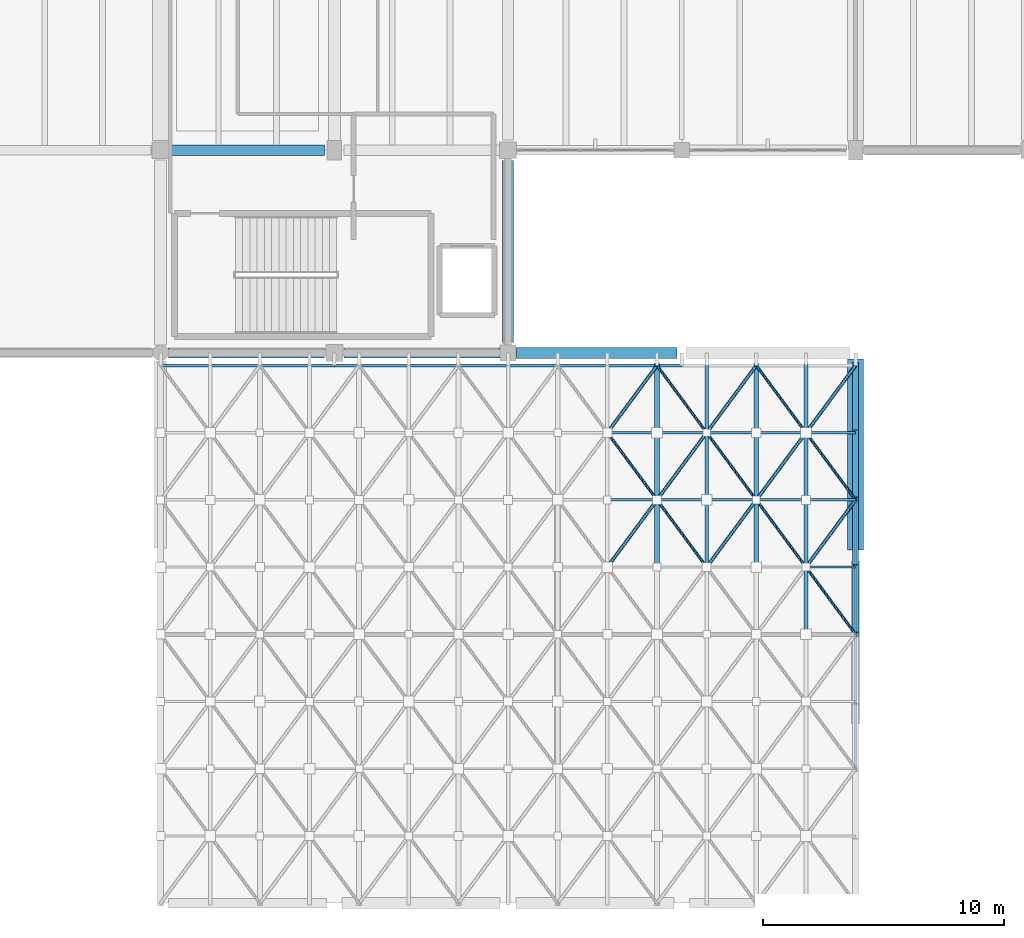
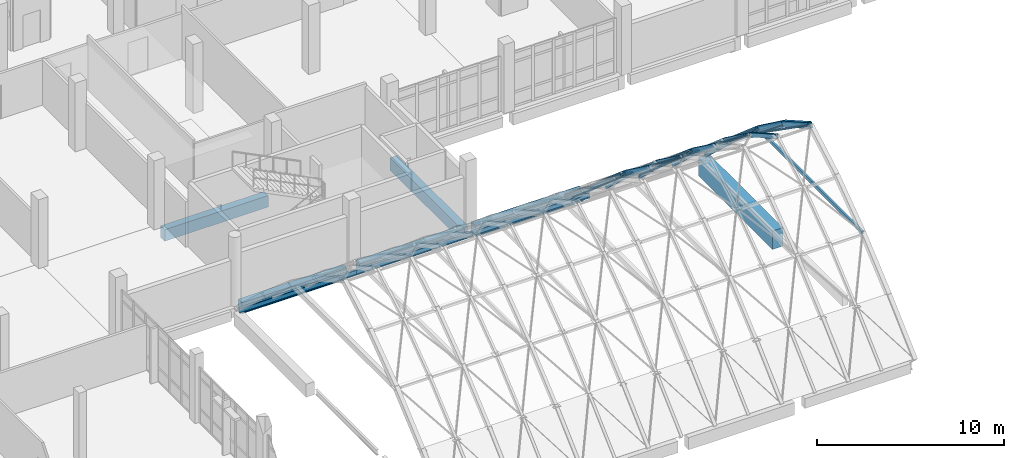
# One storey, part 39 of 87: 45 members, 9 beams.
"""IFC4 building model written with IfcOpenShell, lengths in metres."""

import ifcopenshell
import ifcopenshell.guid

model = None  # the IFC model being written
_history = None  # IfcOwnerHistory: only IFC2X3 demands one
_inside = {}  # id of a spatial element -> (the spatial element, [elements in it])
_under = {}  # id of a project, library or spatial element -> (it, [spatial elements below it])
_declared = {}  # id of a project -> (the project, [libraries it declares])
_typed = {}  # id of a type object -> (the type object, [elements of that type])
_made_of = {}  # id of a material, layer set ... -> (it, [elements and type objects made of it])


def new_model(schema):
    """Start an empty IFC model of exactly this schema.

    Asked for "IFC4X3", IfcOpenShell would pick the latest addendum, in which some entities
    have other attributes; the version numbers below select the first issue.
    IFC2X3 requires an IfcOwnerHistory on every rooted entity: one is made here for all.
    """
    global model, _history
    if schema == "IFC4X3":
        model = ifcopenshell.file(schema_version=(4, 3, 0, 0))
    else:
        model = ifcopenshell.file(schema=schema)
    _inside.clear()
    _under.clear()
    _declared.clear()
    _typed.clear()
    _made_of.clear()
    _history = None
    if model.schema == "IFC2X3":
        org = make("IfcOrganization", Name="unknown")
        user = make(
            "IfcPersonAndOrganization",
            ThePerson=make("IfcPerson", FamilyName="unknown"),
            TheOrganization=org,
        )
        app = make(
            "IfcApplication",
            ApplicationDeveloper=org,
            Version="unknown",
            ApplicationFullName="unknown",
            ApplicationIdentifier="unknown",
        )
        _history = make(
            "IfcOwnerHistory",
            OwningUser=user,
            OwningApplication=app,
            ChangeAction="ADDED",
            CreationDate=0,
        )
    return model


def make(cls, **values):
    """One entity of the class cls with the attributes given. An attribute that is None is left unset."""
    return model.create_entity(
        cls, **{name: value for name, value in values.items() if value is not None}
    )


def rooted(cls, **values):
    """An entity with a GlobalId (a new one), such as an element, a storey or a relation."""
    return make(cls, GlobalId=ifcopenshell.guid.new(), OwnerHistory=_history, **values)


def si_unit(unit_type, name, prefix=None):
    """IfcSIUnit, for example si_unit("LENGTHUNIT", "METRE", prefix="MILLI")."""
    return make("IfcSIUnit", UnitType=unit_type, Prefix=prefix, Name=name)


def assignment(units):
    """IfcUnitAssignment: the units of a project."""
    return None if units is None else make("IfcUnitAssignment", Units=units)


def point(xyz):
    """IfcCartesianPoint."""
    return None if xyz is None else make("IfcCartesianPoint", Coordinates=xyz)


def direction(xyz):
    """IfcDirection."""
    return None if xyz is None else make("IfcDirection", DirectionRatios=xyz)


def frame(location, z_axis=None, x_axis=None):
    """IfcAxis2Placement3D, a coordinate frame: its origin and axes. An axis left out is left unset."""
    return make(
        "IfcAxis2Placement3D",
        Location=point(location),
        Axis=direction(z_axis),
        RefDirection=direction(x_axis),
    )


def frame_2d(location, x_axis=None):
    """IfcAxis2Placement2D, a coordinate frame in the plane: its origin and x axis."""
    return make(
        "IfcAxis2Placement2D", Location=point(location), RefDirection=direction(x_axis)
    )


def origin():
    """The frame at (0, 0, 0) with its axes left unset."""
    return frame((0.0, 0.0, 0.0))


def origin_2d():
    """The frame at (0, 0) in the plane with its x axis left unset."""
    return frame_2d((0.0, 0.0))


def place(relative_to, where):
    """IfcLocalPlacement: puts the frame where relative to a parent placement (None: the world)."""
    return make(
        "IfcLocalPlacement", PlacementRelTo=relative_to, RelativePlacement=where
    )


def context(
    kind, dimensions, precision=None, world=None, true_north=None, identifier=None
):
    """IfcGeometricRepresentationContext, for example the 3D "Model" context."""
    return make(
        "IfcGeometricRepresentationContext",
        ContextIdentifier=identifier,
        ContextType=kind,
        CoordinateSpaceDimension=dimensions,
        Precision=precision,
        WorldCoordinateSystem=world,
        TrueNorth=true_north,
    )


def subcontext(parent, identifier, kind, view, scale=None):
    """IfcGeometricRepresentationSubContext, for example "Body" below "Model"."""
    return make(
        "IfcGeometricRepresentationSubContext",
        ContextIdentifier=identifier,
        ContextType=kind,
        ParentContext=parent,
        TargetScale=scale,
        TargetView=view,
    )


def project(units=None, contexts=None):
    """IfcProject with its units and contexts."""
    return rooted(
        "IfcProject",
        Name="project",
        RepresentationContexts=contexts,
        UnitsInContext=assignment(units),
    )


def spatial(cls, under=None, at=None, **own):
    """A site, building, storey or space (cls), placed at a placement, below another one or the project."""
    s = rooted(cls, ObjectPlacement=at, **own)
    if under is not None:
        _under.setdefault(under.id(), (under, []))[1].append(s)
    return s


def profile(cls, at=None, kind="AREA", **sizes):
    """A parametric profile (cls). Its sizes go by their IFC names, for example OverallWidth=200.0."""
    return make(cls, ProfileType=kind, Position=at, **sizes)


def rectangle(**sizes):
    """IfcRectangleProfileDef."""
    return profile("IfcRectangleProfileDef", **sizes)


def hollow_rectangle(**sizes):
    """IfcRectangleHollowProfileDef."""
    return profile("IfcRectangleHollowProfileDef", **sizes)


def hollow_circle(**sizes):
    """IfcCircleHollowProfileDef."""
    return profile("IfcCircleHollowProfileDef", **sizes)


def i_section(**sizes):
    """IfcIShapeProfileDef."""
    return profile("IfcIShapeProfileDef", **sizes)


def extrude(swept, where, along, depth):
    """IfcExtrudedAreaSolid: the profile swept, set in the frame where, extruded along a direction by depth."""
    return make(
        "IfcExtrudedAreaSolid",
        SweptArea=swept,
        Position=where,
        ExtrudedDirection=direction(along),
        Depth=depth,
    )


def shape(context_of_items, identifier, shape_type, items):
    """IfcShapeRepresentation: the items that make up one representation, for example the "Body"."""
    return make(
        "IfcShapeRepresentation",
        ContextOfItems=context_of_items,
        RepresentationIdentifier=identifier,
        RepresentationType=shape_type,
        Items=items,
    )


def material(Name=None, Category=None):
    """IfcMaterial."""
    return make("IfcMaterial", Name=Name, Category=Category)


def material_profile(
    of_material, cross_section, Name=None, Category=None, Priority=None
):
    """IfcMaterialProfile: a cross section and its material."""
    return make(
        "IfcMaterialProfile",
        Name=Name,
        Material=of_material,
        Profile=cross_section,
        Priority=Priority,
        Category=Category,
    )


def profile_set(profiles, Name=None, composite=None):
    """IfcMaterialProfileSet."""
    return make(
        "IfcMaterialProfileSet",
        Name=Name,
        MaterialProfiles=profiles,
        CompositeProfile=composite,
    )


def made_of(thing, what):
    """Note that an element or type object is made of a material, layer set ...; save() writes the relation."""
    if what is not None:
        _made_of.setdefault(what.id(), (what, []))[1].append(thing)
    return thing


def type_object(cls, material=None, **own):
    """A type object (cls), such as IfcWallType, which elements share."""
    return made_of(rooted(cls, **own), material)


def element(
    cls,
    number,
    at=None,
    inside=None,
    cuts=None,
    type_object=None,
    material=None,
    context=None,
    identifier="Body",
    shape_type=None,
    held_by="IfcProductDefinitionShape",
    body=None,
    shapes=None,
    **own,
):
    """One element of the class cls, such as IfcWall. Its Tag is "e" and its number.

    at: its placement. inside: the storey or other place that contains it. cuts: it is an
    opening in that element (IfcRelVoidsElement). A single representation is given by context,
    identifier, shape_type and body (its items); several are given by shapes. held_by: the class
    of the entity that holds the representations. save() writes the other relations.
    """
    e = rooted(cls, Tag="e%d" % number, ObjectPlacement=at, **own)
    if body is not None:
        shapes = [shape(context, identifier, shape_type, body)]
    if shapes is not None:
        e.Representation = make(held_by, Representations=shapes)
    if inside is not None:
        _inside.setdefault(inside.id(), (inside, []))[1].append(e)
    if cuts is not None:
        rooted(
            "IfcRelVoidsElement", RelatingBuildingElement=cuts, RelatedOpeningElement=e
        )
    if type_object is not None:
        _typed.setdefault(type_object.id(), (type_object, []))[1].append(e)
    return made_of(e, material)


def aggregate(whole, parts):
    """IfcRelAggregates: a whole, such as a stair, and the parts it consists of."""
    return rooted("IfcRelAggregates", RelatingObject=whole, RelatedObjects=parts)


def save(model, path):
    """Write the relations noted so far, then the file.

    IfcRelAggregates (storeys below a building ...), IfcRelContainedInSpatialStructure (elements
    in a storey), IfcRelDefinesByType, IfcRelAssociatesMaterial and IfcRelDeclares: one each for
    every whole, place, type object, material and project.
    """
    for whole, parts in _under.values():
        aggregate(whole, parts)
    for where, things in _inside.values():
        rooted(
            "IfcRelContainedInSpatialStructure",
            RelatedElements=things,
            RelatingStructure=where,
        )
    for kind, things in _typed.values():
        rooted("IfcRelDefinesByType", RelatedObjects=things, RelatingType=kind)
    for what, things in _made_of.values():
        rooted("IfcRelAssociatesMaterial", RelatedObjects=things, RelatingMaterial=what)
    for by, libraries in _declared.values():
        rooted("IfcRelDeclares", RelatingContext=by, RelatedDefinitions=libraries)
    model.write(path)


model = new_model("IFC4")

# Units and contexts
model_context = context("Model", 3, precision=1e-05, world=origin(), true_north=direction((0.0, 1.0)))
body_context = subcontext(model_context, "Body", "Model", "MODEL_VIEW")
ifc_project = project(units=[si_unit("LENGTHUNIT", "METRE"), si_unit("AREAUNIT", "SQUARE_METRE"), si_unit("VOLUMEUNIT", "CUBIC_METRE"), si_unit("PLANEANGLEUNIT", "RADIAN"), si_unit("MASSUNIT", "GRAM", prefix="KILO")], contexts=[model_context])

# Site, building, storey
site_placement = place(None, origin())
site = spatial("IfcSite", under=ifc_project, at=site_placement, CompositionType="ELEMENT")
building_placement = place(site_placement, origin())
building = spatial("IfcBuilding", under=site, at=building_placement, Name="Kalluvel Institute of Natural Sciences", CompositionType="ELEMENT")
storey_placement = place(building_placement, frame((0.0, 0.0, 18.89990234375)))
storey = spatial("IfcBuildingStorey", under=building, at=storey_placement, Name="L04", CompositionType="ELEMENT", Elevation=18.89990234375)

# Beams
ifc_material_1 = material(Name="Steel E350 Grade 350", Category="steel")
ifc_material_profile_1 = material_profile(ifc_material_1, i_section(OverallWidth=0.139892578125, OverallDepth=0.35009765625, WebThickness=0.008056640625, FlangeThickness=0.01416015625, FilletRadius=0.013916015625, at=origin_2d()), Name="ISMB 350")
ifc_profile_set_1 = profile_set([ifc_material_profile_1], Name="Steel E350 Grade 350")
beam_type_1 = type_object("IfcBeamType", Name="BM-ISMB350", PredefinedType="BEAM", material=ifc_profile_set_1)
for number, where, z_axis, x_axis, name in (
    (1, (42.800048828125, 93.8798828125, -0.1748046875), (1.0, 0.0, 0.0), (0.0, 1.0, 0.0), "Atrium gridshell north springing ring beam 1"),
    (2, (50.0, 93.8798828125, -0.1748046875), (1.0, 0.0, 0.0), (0.0, 1.0, 0.0), "Atrium gridshell north springing ring beam 2"),
    (3, (57.199951171875, 93.8798828125, -0.1748046875), (1.0, 0.0, 0.0), (0.0, 1.0, 0.0), "Atrium gridshell north springing ring beam 3"),
):
    element("IfcBeam", number, at=place(storey_placement, frame(where, z_axis=z_axis, x_axis=x_axis)), inside=storey, type_object=beam_type_1, Name=name, PredefinedType="BEAM", context=body_context, shape_type="SweptSolid", body=[
        extrude(i_section(OverallWidth=0.139892578125, OverallDepth=0.35009765625, WebThickness=0.008056640625, FlangeThickness=0.01416015625, FilletRadius=0.013916015625, at=origin_2d()), origin(), (0.0, 0.0, 1.0), 7.199951171875),
    ])
ifc_material_2 = material(Name="Concrete M40", Category="concrete")
ifc_material_profile_2 = material_profile(ifc_material_2, rectangle(XDim=0.39990234375, YDim=0.64990234375, at=origin_2d()), Name="RCB 400x650")
ifc_profile_set_2 = profile_set([ifc_material_profile_2], Name="Concrete M40")
beam_type_2 = type_object("IfcBeamType", Name="BM-RC400x650", PredefinedType="BEAM", material=ifc_profile_set_2)
beam_1_placement = place(storey_placement, frame((50.39990234375, 94.39990234375, -0.304931640625), z_axis=(1.0, 0.0, 0.0), x_axis=(0.0, 1.0, 0.0)))
element("IfcBeam", 4, at=beam_1_placement, inside=storey, type_object=beam_type_2, Name="L04 girder GIR-L04-EW-X500-Y944", PredefinedType="BEAM", context=body_context, shape_type="SweptSolid", body=[
    extrude(rectangle(XDim=0.39990234375, YDim=0.64990234375, at=origin_2d()), origin(), (0.0, 0.0, 1.0), 6.47509765625),
])
ifc_material_profile_3 = material_profile(ifc_material_2, rectangle(XDim=0.419921875, YDim=0.719970703125, at=origin_2d()), Name="RCB 420x720")
ifc_profile_set_3 = profile_set([ifc_material_profile_3], Name="Concrete M40")
beam_type_3 = type_object("IfcBeamType", Name="BM-RC420x720", PredefinedType="BEAM", material=ifc_profile_set_3)
beam_2_placement = place(storey_placement, frame((43.125, 94.39990234375, -0.33984375), z_axis=(1.0, 0.0, 0.0), x_axis=(0.0, 1.0, 0.0)))
element("IfcBeam", 5, at=beam_2_placement, inside=storey, type_object=beam_type_3, Name="L04 girder GIR-L04-EW-X428-Y944", PredefinedType="BEAM", context=body_context, shape_type="SweptSolid", body=[
    extrude(rectangle(XDim=0.419921875, YDim=0.719970703125, at=origin_2d()), origin(), (0.0, 0.0, 1.0), 6.47509765625),
])
ifc_material_profile_4 = material_profile(ifc_material_2, rectangle(XDim=0.449951171875, YDim=0.75, at=origin_2d()), Name="RCB 450x750")
ifc_profile_set_4 = profile_set([ifc_material_profile_4], Name="Concrete M40")
beam_type_4 = type_object("IfcBeamType", Name="BM-RC450x750", PredefinedType="BEAM", material=ifc_profile_set_4)
beam_3_placement = place(storey_placement, frame((57.52490234375, 94.39990234375, -0.35498046875), z_axis=(1.0, 0.0, 0.0), x_axis=(0.0, 1.0, 0.0)))
element("IfcBeam", 6, at=beam_3_placement, inside=storey, type_object=beam_type_4, Name="L04 girder GIR-L04-EW-X572-Y944", PredefinedType="BEAM", context=body_context, shape_type="SweptSolid", body=[
    extrude(rectangle(XDim=0.449951171875, YDim=0.75, at=origin_2d()), origin(), (0.0, 0.0, 1.0), 6.675048828125),
])
beam_4_placement = place(storey_placement, frame((43.199951171875, 102.800048828125, -0.69482421875), z_axis=(1.0, 0.0, 0.0), x_axis=(0.0, 1.0, 0.0)))
element("IfcBeam", 7, at=beam_4_placement, inside=storey, type_object=beam_type_4, Name="L04 girder GIR-L04-EW-X428-Y1028", PredefinedType="BEAM", context=body_context, shape_type="SweptSolid", body=[
    extrude(rectangle(XDim=0.449951171875, YDim=0.75, at=origin_2d()), origin(), (0.0, 0.0, 1.0), 6.400146484375),
])
ifc_material_profile_5 = material_profile(ifc_material_2, rectangle(XDim=0.449951171875, YDim=0.800048828125, at=origin_2d()), Name="RCB 450x800")
ifc_profile_set_5 = profile_set([ifc_material_profile_5], Name="Concrete M40")
beam_type_5 = type_object("IfcBeamType", Name="BM-RC450x800", PredefinedType="BEAM", material=ifc_profile_set_5)
beam_5_placement = place(storey_placement, frame((57.199951171875, 94.824951171875, -0.719970703125), z_axis=(0.0, 1.0, 0.0), x_axis=(-1.0, 0.0, 0.0)))
element("IfcBeam", 8, at=beam_5_placement, inside=storey, type_object=beam_type_5, Name="L04 girder GIR-L04-NS-X572-Y944", PredefinedType="BEAM", context=body_context, shape_type="SweptSolid", body=[
    extrude(rectangle(XDim=0.449951171875, YDim=0.800048828125, at=origin_2d()), origin(), (0.0, 0.0, 1.0), 7.550048828125),
])
ifc_material_3 = material(Name="Concrete M50", Category="concrete")
ifc_material_profile_6 = material_profile(ifc_material_3, rectangle(XDim=0.64990234375, YDim=1.199951171875, at=origin_2d()), Name="RCB 650x1200")
ifc_profile_set_6 = profile_set([ifc_material_profile_6], Name="Concrete M50")
beam_type_6 = type_object("IfcBeamType", Name="BM-RC650x1200", PredefinedType="BEAM", material=ifc_profile_set_6)
beam_6_placement = place(storey_placement, frame((71.60009765625, 86.22509765625, -0.919921875), z_axis=(0.0, 1.0, 0.0), x_axis=(-1.0, 0.0, 0.0)))
element("IfcBeam", 9, at=beam_6_placement, inside=storey, type_object=beam_type_6, Name="L04 girder GIR-L04-NS-X716-Y860", PredefinedType="BEAM", context=body_context, shape_type="SweptSolid", body=[
    extrude(rectangle(XDim=0.64990234375, YDim=1.199951171875, at=origin_2d()), origin(), (0.0, 0.0, 1.0), 7.9248046875),
])

# Members
ifc_material_profile_7 = material_profile(ifc_material_1, hollow_rectangle(XDim=0.1201171875, YDim=0.219970703125, WallThickness=0.010009765625, at=origin_2d()), Name="RHS 220x120x10")
ifc_profile_set_7 = profile_set([ifc_material_profile_7], Name="Steel E350 Grade 350")
member_type_1 = type_object("IfcMemberType", Name="MB-ARCH-RHS220", PredefinedType="CHORD", material=ifc_profile_set_7)
member_1_placement = place(storey_placement, frame((71.60009765625, 77.169921875, 4.976806640625), z_axis=(0.0, 1.0, 0.0), x_axis=(-1.0, 0.0, 0.0)))
element("IfcMember", 10, at=member_1_placement, inside=storey, type_object=member_type_1, Name="Atrium gridshell Gothic collar tie chord 8", PredefinedType="CHORD", context=body_context, shape_type="SweptSolid", body=[
    extrude(hollow_rectangle(XDim=0.1201171875, YDim=0.219970703125, WallThickness=0.010009765625, at=origin_2d()), origin(), (0.0, 0.0, 1.0), 11.14013671875),
])
ifc_material_profile_8 = material_profile(ifc_material_1, hollow_rectangle(XDim=0.14990234375, YDim=0.25, WallThickness=0.010009765625, at=origin_2d()), Name="RHS 250x150x10")
ifc_profile_set_8 = profile_set([ifc_material_profile_8], Name="Steel E350 Grade 350")
member_type_2 = type_object("IfcMemberType", Name="MB-ARCH-SEG250", PredefinedType="USERDEFINED", material=ifc_profile_set_8)
member_2_placement = place(storey_placement, frame((65.4287109375, 85.52490234375, 7.018310546875), z_axis=(0.0, 0.806535340499, -0.591185879843), x_axis=(-1.0, 0.0, 0.0)))
element("IfcMember", 11, at=member_2_placement, inside=storey, type_object=member_type_2, Name="Atrium gridshell pointed arch segment 94", ObjectType="ARCH_SEGMENT", PredefinedType="USERDEFINED", context=body_context, shape_type="SweptSolid", body=[
    extrude(hollow_rectangle(XDim=0.14990234375, YDim=0.25, WallThickness=0.010009765625, at=origin_2d()), origin(), (0.0, 0.0, 1.0), 3.453125),
])
member_3_placement = place(storey_placement, frame((65.4287109375, 88.31005859375, 4.976806640625), z_axis=(0.0, 0.758448754264, -0.651732680748), x_axis=(-1.0, 0.0, 0.0)))
element("IfcMember", 12, at=member_3_placement, inside=storey, type_object=member_type_2, Name="Atrium gridshell pointed arch segment 95", ObjectType="ARCH_SEGMENT", PredefinedType="USERDEFINED", context=body_context, shape_type="SweptSolid", body=[
    extrude(hollow_rectangle(XDim=0.14990234375, YDim=0.25, WallThickness=0.010009765625, at=origin_2d()), origin(), (0.0, 0.0, 1.0), 3.671875),
])
member_4_placement = place(storey_placement, frame((65.4287109375, 91.094970703125, 2.583740234375), z_axis=(0.0, 0.733088696682, -0.680133047864), x_axis=(-1.0, 0.0, 0.0)))
element("IfcMember", 13, at=member_4_placement, inside=storey, type_object=member_type_2, Name="Atrium gridshell pointed arch segment 96", ObjectType="ARCH_SEGMENT", PredefinedType="USERDEFINED", context=body_context, shape_type="SweptSolid", body=[
    extrude(hollow_rectangle(XDim=0.14990234375, YDim=0.25, WallThickness=0.010009765625, at=origin_2d()), origin(), (0.0, 0.0, 1.0), 3.798828125),
])
member_5_placement = place(storey_placement, frame((69.54296875, 82.739990234375, 8.60009765625), z_axis=(0.0, 0.869530215722, -0.493879746442), x_axis=(-1.0, 0.0, 0.0)))
element("IfcMember", 14, at=member_5_placement, inside=storey, type_object=member_type_2, Name="Atrium gridshell pointed arch segment 109", ObjectType="ARCH_SEGMENT", PredefinedType="USERDEFINED", context=body_context, shape_type="SweptSolid", body=[
    extrude(hollow_rectangle(XDim=0.14990234375, YDim=0.25, WallThickness=0.010009765625, at=origin_2d()), origin(), (0.0, 0.0, 1.0), 3.202880859375),
])
member_6_placement = place(storey_placement, frame((69.54296875, 85.52490234375, 7.018310546875), z_axis=(0.0, 0.806535340499, -0.591185879843), x_axis=(-1.0, 0.0, 0.0)))
element("IfcMember", 15, at=member_6_placement, inside=storey, type_object=member_type_2, Name="Atrium gridshell pointed arch segment 110", ObjectType="ARCH_SEGMENT", PredefinedType="USERDEFINED", context=body_context, shape_type="SweptSolid", body=[
    extrude(hollow_rectangle(XDim=0.14990234375, YDim=0.25, WallThickness=0.010009765625, at=origin_2d()), origin(), (0.0, 0.0, 1.0), 3.453125),
])
member_7_placement = place(storey_placement, frame((69.54296875, 88.31005859375, 4.976806640625), z_axis=(0.0, 0.758448754264, -0.651732680748), x_axis=(-1.0, 0.0, 0.0)))
element("IfcMember", 16, at=member_7_placement, inside=storey, type_object=member_type_2, Name="Atrium gridshell pointed arch segment 111", ObjectType="ARCH_SEGMENT", PredefinedType="USERDEFINED", context=body_context, shape_type="SweptSolid", body=[
    extrude(hollow_rectangle(XDim=0.14990234375, YDim=0.25, WallThickness=0.010009765625, at=origin_2d()), origin(), (0.0, 0.0, 1.0), 3.671875),
])
member_8_placement = place(storey_placement, frame((69.54296875, 91.094970703125, 2.583740234375), z_axis=(0.0, 0.733088696682, -0.680133047864), x_axis=(-1.0, 0.0, 0.0)))
element("IfcMember", 17, at=member_8_placement, inside=storey, type_object=member_type_2, Name="Atrium gridshell pointed arch segment 112", ObjectType="ARCH_SEGMENT", PredefinedType="USERDEFINED", context=body_context, shape_type="SweptSolid", body=[
    extrude(hollow_rectangle(XDim=0.14990234375, YDim=0.25, WallThickness=0.010009765625, at=origin_2d()), origin(), (0.0, 0.0, 1.0), 3.798828125),
])
ifc_material_profile_9 = material_profile(ifc_material_1, hollow_rectangle(XDim=0.199951171875, YDim=0.300048828125, WallThickness=0.011962890625, at=origin_2d()), Name="RHS 300x200x12")
ifc_profile_set_9 = profile_set([ifc_material_profile_9], Name="Steel E350 Grade 350")
member_type_3 = type_object("IfcMemberType", Name="MB-ARCH-SEG300", PredefinedType="USERDEFINED", material=ifc_profile_set_9)
member_9_placement = place(storey_placement, frame((63.371337890625, 85.52490234375, 7.018310546875), z_axis=(0.0, 0.806535340499, -0.591185879843), x_axis=(-1.0, 0.0, 0.0)))
element("IfcMember", 18, at=member_9_placement, inside=storey, type_object=member_type_3, Name="Atrium gridshell pointed arch segment 86", ObjectType="ARCH_SEGMENT", PredefinedType="USERDEFINED", context=body_context, shape_type="SweptSolid", body=[
    extrude(hollow_rectangle(XDim=0.199951171875, YDim=0.300048828125, WallThickness=0.011962890625, at=origin_2d()), origin(), (0.0, 0.0, 1.0), 3.453125),
])
member_10_placement = place(storey_placement, frame((63.371337890625, 88.31005859375, 4.976806640625), z_axis=(0.0, 0.758448754264, -0.651732680748), x_axis=(-1.0, 0.0, 0.0)))
element("IfcMember", 19, at=member_10_placement, inside=storey, type_object=member_type_3, Name="Atrium gridshell pointed arch segment 87", ObjectType="ARCH_SEGMENT", PredefinedType="USERDEFINED", context=body_context, shape_type="SweptSolid", body=[
    extrude(hollow_rectangle(XDim=0.199951171875, YDim=0.300048828125, WallThickness=0.011962890625, at=origin_2d()), origin(), (0.0, 0.0, 1.0), 3.671875),
])
member_11_placement = place(storey_placement, frame((63.371337890625, 91.094970703125, 2.583740234375), z_axis=(0.0, 0.733088696682, -0.680133047864), x_axis=(-1.0, 0.0, 0.0)))
element("IfcMember", 20, at=member_11_placement, inside=storey, type_object=member_type_3, Name="Atrium gridshell pointed arch segment 88", ObjectType="ARCH_SEGMENT", PredefinedType="USERDEFINED", context=body_context, shape_type="SweptSolid", body=[
    extrude(hollow_rectangle(XDim=0.199951171875, YDim=0.300048828125, WallThickness=0.011962890625, at=origin_2d()), origin(), (0.0, 0.0, 1.0), 3.798828125),
])
member_12_placement = place(storey_placement, frame((67.485595703125, 85.52490234375, 7.018310546875), z_axis=(0.0, 0.806535340499, -0.591185879843), x_axis=(-1.0, 0.0, 0.0)))
element("IfcMember", 21, at=member_12_placement, inside=storey, type_object=member_type_3, Name="Atrium gridshell pointed arch segment 102", ObjectType="ARCH_SEGMENT", PredefinedType="USERDEFINED", context=body_context, shape_type="SweptSolid", body=[
    extrude(hollow_rectangle(XDim=0.199951171875, YDim=0.300048828125, WallThickness=0.011962890625, at=origin_2d()), origin(), (0.0, 0.0, 1.0), 3.453125),
])
member_13_placement = place(storey_placement, frame((67.485595703125, 88.31005859375, 4.976806640625), z_axis=(0.0, 0.758448754264, -0.651732680748), x_axis=(-1.0, 0.0, 0.0)))
element("IfcMember", 22, at=member_13_placement, inside=storey, type_object=member_type_3, Name="Atrium gridshell pointed arch segment 103", ObjectType="ARCH_SEGMENT", PredefinedType="USERDEFINED", context=body_context, shape_type="SweptSolid", body=[
    extrude(hollow_rectangle(XDim=0.199951171875, YDim=0.300048828125, WallThickness=0.011962890625, at=origin_2d()), origin(), (0.0, 0.0, 1.0), 3.671875),
])
member_14_placement = place(storey_placement, frame((67.485595703125, 91.094970703125, 2.583740234375), z_axis=(0.0, 0.733088696682, -0.680133047864), x_axis=(-1.0, 0.0, 0.0)))
element("IfcMember", 23, at=member_14_placement, inside=storey, type_object=member_type_3, Name="Atrium gridshell pointed arch segment 104", ObjectType="ARCH_SEGMENT", PredefinedType="USERDEFINED", context=body_context, shape_type="SweptSolid", body=[
    extrude(hollow_rectangle(XDim=0.199951171875, YDim=0.300048828125, WallThickness=0.011962890625, at=origin_2d()), origin(), (0.0, 0.0, 1.0), 3.798828125),
])
ifc_material_profile_10 = material_profile(ifc_material_1, hollow_rectangle(XDim=0.25, YDim=0.35009765625, WallThickness=0.012451171875, at=origin_2d()), Name="RHS 350x250x12")
ifc_profile_set_10 = profile_set([ifc_material_profile_10], Name="Steel E350 Grade 350")
member_type_4 = type_object("IfcMemberType", Name="MB-ARCH-SEG350", PredefinedType="USERDEFINED", material=ifc_profile_set_10)
member_15_placement = place(storey_placement, frame((71.60009765625, 82.739990234375, 8.60009765625), z_axis=(0.0, 0.869530215722, -0.493879746442), x_axis=(-1.0, 0.0, 0.0)))
element("IfcMember", 24, at=member_15_placement, inside=storey, type_object=member_type_4, Name="Atrium gridshell pointed arch segment 117", ObjectType="ARCH_SEGMENT", PredefinedType="USERDEFINED", context=body_context, shape_type="SweptSolid", body=[
    extrude(hollow_rectangle(XDim=0.25, YDim=0.35009765625, WallThickness=0.012451171875, at=origin_2d()), origin(), (0.0, 0.0, 1.0), 3.202880859375),
])
member_16_placement = place(storey_placement, frame((71.60009765625, 85.52490234375, 7.018310546875), z_axis=(0.0, 0.806535340499, -0.591185879843), x_axis=(-1.0, 0.0, 0.0)))
element("IfcMember", 25, at=member_16_placement, inside=storey, type_object=member_type_4, Name="Atrium gridshell pointed arch segment 118", ObjectType="ARCH_SEGMENT", PredefinedType="USERDEFINED", context=body_context, shape_type="SweptSolid", body=[
    extrude(hollow_rectangle(XDim=0.25, YDim=0.35009765625, WallThickness=0.012451171875, at=origin_2d()), origin(), (0.0, 0.0, 1.0), 3.453125),
])
member_17_placement = place(storey_placement, frame((71.60009765625, 88.31005859375, 4.976806640625), z_axis=(0.0, 0.758448754264, -0.651732680748), x_axis=(-1.0, 0.0, 0.0)))
element("IfcMember", 26, at=member_17_placement, inside=storey, type_object=member_type_4, Name="Atrium gridshell pointed arch segment 119", ObjectType="ARCH_SEGMENT", PredefinedType="USERDEFINED", context=body_context, shape_type="SweptSolid", body=[
    extrude(hollow_rectangle(XDim=0.25, YDim=0.35009765625, WallThickness=0.012451171875, at=origin_2d()), origin(), (0.0, 0.0, 1.0), 3.671875),
])
member_18_placement = place(storey_placement, frame((71.60009765625, 91.094970703125, 2.583740234375), z_axis=(0.0, 0.733088696682, -0.680133047864), x_axis=(-1.0, 0.0, 0.0)))
element("IfcMember", 27, at=member_18_placement, inside=storey, type_object=member_type_4, Name="Atrium gridshell pointed arch segment 120", ObjectType="ARCH_SEGMENT", PredefinedType="USERDEFINED", context=body_context, shape_type="SweptSolid", body=[
    extrude(hollow_rectangle(XDim=0.25, YDim=0.35009765625, WallThickness=0.012451171875, at=origin_2d()), origin(), (0.0, 0.0, 1.0), 3.798828125),
])
ifc_material_profile_11 = material_profile(ifc_material_1, hollow_circle(Radius=0.05712890625, WallThickness=0.006103515625, at=origin_2d()), Name="CHS 114.3x6.0")
ifc_profile_set_11 = profile_set([ifc_material_profile_11], Name="Steel E350 Grade 350")
member_type_5 = type_object("IfcMemberType", Name="MB-BR-CHS114", PredefinedType="BRACE", material=ifc_profile_set_11)
member_19_placement = place(storey_placement, frame((63.371337890625, 88.31005859375, 4.996826171875), z_axis=(-0.488764589812, 0.661682610489, -0.568581831158), x_axis=(-0.804353425168, -0.594151131802, 0.0)))
element("IfcMember", 28, at=member_19_placement, inside=storey, type_object=member_type_5, Name="Atrium gridshell diagonal brace 79", PredefinedType="BRACE", context=body_context, shape_type="SweptSolid", body=[
    extrude(hollow_circle(Radius=0.05712890625, WallThickness=0.006103515625, at=origin_2d()), origin(), (0.0, 0.0, 1.0), 4.208740234375),
])
member_20_placement = place(storey_placement, frame((65.4287109375, 85.52490234375, 7.038330078125), z_axis=(-0.511828407, 0.692884593218, -0.507880519678), x_axis=(-0.804344619316, -0.594163052855, 0.0)))
element("IfcMember", 29, at=member_20_placement, inside=storey, type_object=member_type_5, Name="Atrium gridshell diagonal brace 86", PredefinedType="BRACE", context=body_context, shape_type="SweptSolid", body=[
    extrude(hollow_circle(Radius=0.05712890625, WallThickness=0.006103515625, at=origin_2d()), origin(), (0.0, 0.0, 1.0), 4.019775390625),
])
member_21_placement = place(storey_placement, frame((65.4287109375, 91.094970703125, 2.603759765625), z_axis=(-0.476220375662, 0.644623926091, -0.59805864906), x_axis=(-0.804319726107, -0.594196750408, 0.0)))
element("IfcMember", 30, at=member_21_placement, inside=storey, type_object=member_type_5, Name="Atrium gridshell diagonal brace 88", PredefinedType="BRACE", context=body_context, shape_type="SweptSolid", body=[
    extrude(hollow_circle(Radius=0.05712890625, WallThickness=0.006103515625, at=origin_2d()), origin(), (0.0, 0.0, 1.0), 4.3203125),
])
member_22_placement = place(storey_placement, frame((67.485595703125, 88.31005859375, 4.996826171875), z_axis=(-0.48872043849, 0.661701369953, -0.568597951108), x_axis=(-0.804387124464, -0.594105507461, 0.0)))
element("IfcMember", 31, at=member_22_placement, inside=storey, type_object=member_type_5, Name="Atrium gridshell diagonal brace 95", PredefinedType="BRACE", context=body_context, shape_type="SweptSolid", body=[
    extrude(hollow_circle(Radius=0.05712890625, WallThickness=0.006103515625, at=origin_2d()), origin(), (0.0, 0.0, 1.0), 4.208740234375),
])
member_23_placement = place(storey_placement, frame((69.54296875, 85.52490234375, 7.038330078125), z_axis=(-0.511828407, 0.692884593218, -0.507880519678), x_axis=(-0.804344619316, -0.594163052855, 0.0)))
element("IfcMember", 32, at=member_23_placement, inside=storey, type_object=member_type_5, Name="Atrium gridshell diagonal brace 102", PredefinedType="BRACE", context=body_context, shape_type="SweptSolid", body=[
    extrude(hollow_circle(Radius=0.05712890625, WallThickness=0.006103515625, at=origin_2d()), origin(), (0.0, 0.0, 1.0), 4.019775390625),
])
member_24_placement = place(storey_placement, frame((69.54296875, 91.094970703125, 2.603759765625), z_axis=(-0.476220375662, 0.644623926091, -0.59805864906), x_axis=(-0.804319726107, -0.594196750408, 0.0)))
element("IfcMember", 33, at=member_24_placement, inside=storey, type_object=member_type_5, Name="Atrium gridshell diagonal brace 104", PredefinedType="BRACE", context=body_context, shape_type="SweptSolid", body=[
    extrude(hollow_circle(Radius=0.05712890625, WallThickness=0.006103515625, at=origin_2d()), origin(), (0.0, 0.0, 1.0), 4.3203125),
])
member_25_placement = place(storey_placement, frame((71.60009765625, 82.739990234375, 8.6201171875), z_axis=(-0.540423006608, 0.731617046805, -0.415547194376), x_axis=(-0.804353425168, -0.594151131802, 0.0)))
element("IfcMember", 34, at=member_25_placement, inside=storey, type_object=member_type_5, Name="Atrium gridshell diagonal brace 109", PredefinedType="BRACE", context=body_context, shape_type="SweptSolid", body=[
    extrude(hollow_circle(Radius=0.05712890625, WallThickness=0.006103515625, at=origin_2d()), origin(), (0.0, 0.0, 1.0), 3.806396484375),
])
member_26_placement = place(storey_placement, frame((71.60009765625, 88.31005859375, 4.996826171875), z_axis=(-0.488764589812, 0.661682610489, -0.568581831158), x_axis=(-0.804353425168, -0.594151131802, 0.0)))
element("IfcMember", 35, at=member_26_placement, inside=storey, type_object=member_type_5, Name="Atrium gridshell diagonal brace 111", PredefinedType="BRACE", context=body_context, shape_type="SweptSolid", body=[
    extrude(hollow_circle(Radius=0.05712890625, WallThickness=0.006103515625, at=origin_2d()), origin(), (0.0, 0.0, 1.0), 4.208740234375),
])
ifc_material_profile_12 = material_profile(ifc_material_1, hollow_circle(Radius=0.06982421875, WallThickness=0.008056640625, at=origin_2d()), Name="CHS 139.7x8.0")
ifc_profile_set_12 = profile_set([ifc_material_profile_12], Name="Steel E350 Grade 350")
member_type_6 = type_object("IfcMemberType", Name="MB-BR-CHS139", PredefinedType="BRACE", material=ifc_profile_set_12)
member_27_placement = place(storey_placement, frame((61.314208984375, 85.52490234375, 7.038330078125), z_axis=(0.51178357928, 0.692906132498, -0.507896307849), x_axis=(-0.804378315597, 0.594117434013, 0.0)))
element("IfcMember", 36, at=member_27_placement, inside=storey, type_object=member_type_6, Name="Atrium gridshell diagonal brace 78", PredefinedType="BRACE", context=body_context, shape_type="SweptSolid", body=[
    extrude(hollow_circle(Radius=0.06982421875, WallThickness=0.008056640625, at=origin_2d()), origin(), (0.0, 0.0, 1.0), 4.01953125),
])
member_28_placement = place(storey_placement, frame((61.314208984375, 91.094970703125, 2.603759765625), z_axis=(0.476176678593, 0.644641273761, -0.598074743597), x_axis=(-0.804353425168, 0.594151131802, 0.0)))
element("IfcMember", 37, at=member_28_placement, inside=storey, type_object=member_type_6, Name="Atrium gridshell diagonal brace 80", PredefinedType="BRACE", context=body_context, shape_type="SweptSolid", body=[
    extrude(hollow_circle(Radius=0.06982421875, WallThickness=0.008056640625, at=origin_2d()), origin(), (0.0, 0.0, 1.0), 4.320068359375),
])
member_29_placement = place(storey_placement, frame((63.371337890625, 88.31005859375, 4.996826171875), z_axis=(0.488808737378, 0.661663850394, -0.568565710666), x_axis=(-0.804319726107, 0.594196750408, 0.0)))
element("IfcMember", 38, at=member_29_placement, inside=storey, type_object=member_type_6, Name="Atrium gridshell diagonal brace 87", PredefinedType="BRACE", context=body_context, shape_type="SweptSolid", body=[
    extrude(hollow_circle(Radius=0.06982421875, WallThickness=0.008056640625, at=origin_2d()), origin(), (0.0, 0.0, 1.0), 4.208984375),
])
member_30_placement = place(storey_placement, frame((65.4287109375, 85.52490234375, 7.038330078125), z_axis=(0.511738747379, 0.692927671229, -0.507912095619), x_axis=(-0.804412012113, 0.594071809437, 0.0)))
element("IfcMember", 39, at=member_30_placement, inside=storey, type_object=member_type_6, Name="Atrium gridshell diagonal brace 94", PredefinedType="BRACE", context=body_context, shape_type="SweptSolid", body=[
    extrude(hollow_circle(Radius=0.06982421875, WallThickness=0.008056640625, at=origin_2d()), origin(), (0.0, 0.0, 1.0), 4.019287109375),
])
member_31_placement = place(storey_placement, frame((65.4287109375, 91.094970703125, 2.603759765625), z_axis=(0.476132977996, 0.644658620772, -0.598090837523), x_axis=(-0.804387124464, 0.594105507461, 0.0)))
element("IfcMember", 40, at=member_31_placement, inside=storey, type_object=member_type_6, Name="Atrium gridshell diagonal brace 96", PredefinedType="BRACE", context=body_context, shape_type="SweptSolid", body=[
    extrude(hollow_circle(Radius=0.06982421875, WallThickness=0.008056640625, at=origin_2d()), origin(), (0.0, 0.0, 1.0), 4.320068359375),
])
member_32_placement = place(storey_placement, frame((67.485595703125, 88.31005859375, 4.996826171875), z_axis=(0.488808737378, 0.661663850394, -0.568565710666), x_axis=(-0.804319726107, 0.594196750408, 0.0)))
element("IfcMember", 41, at=member_32_placement, inside=storey, type_object=member_type_6, Name="Atrium gridshell diagonal brace 103", PredefinedType="BRACE", context=body_context, shape_type="SweptSolid", body=[
    extrude(hollow_circle(Radius=0.06982421875, WallThickness=0.008056640625, at=origin_2d()), origin(), (0.0, 0.0, 1.0), 4.208984375),
])
member_33_placement = place(storey_placement, frame((69.54296875, 85.52490234375, 7.038330078125), z_axis=(0.51178357928, 0.692906132498, -0.507896307849), x_axis=(-0.804378315597, 0.594117434013, 0.0)))
element("IfcMember", 42, at=member_33_placement, inside=storey, type_object=member_type_6, Name="Atrium gridshell diagonal brace 110", PredefinedType="BRACE", context=body_context, shape_type="SweptSolid", body=[
    extrude(hollow_circle(Radius=0.06982421875, WallThickness=0.008056640625, at=origin_2d()), origin(), (0.0, 0.0, 1.0), 4.01953125),
])
member_34_placement = place(storey_placement, frame((69.54296875, 91.094970703125, 2.603759765625), z_axis=(0.476176678593, 0.644641273761, -0.598074743597), x_axis=(-0.804353425168, 0.594151131802, 0.0)))
element("IfcMember", 43, at=member_34_placement, inside=storey, type_object=member_type_6, Name="Atrium gridshell diagonal brace 112", PredefinedType="BRACE", context=body_context, shape_type="SweptSolid", body=[
    extrude(hollow_circle(Radius=0.06982421875, WallThickness=0.008056640625, at=origin_2d()), origin(), (0.0, 0.0, 1.0), 4.320068359375),
])
ifc_material_profile_13 = material_profile(ifc_material_1, hollow_rectangle(XDim=0.080078125, YDim=0.139892578125, WallThickness=0.006103515625, at=origin_2d()), Name="RHS 140x80x6")
ifc_profile_set_13 = profile_set([ifc_material_profile_13], Name="Steel E350 Grade 350")
member_type_7 = type_object("IfcMemberType", Name="MB-PURL-RHS140", PredefinedType="PURLIN", material=ifc_profile_set_13)
member_35_placement = place(storey_placement, frame((69.54296875, 85.52490234375, 6.87841796875), z_axis=(1.0, 0.0, 0.0), x_axis=(0.0, 1.0, 0.0)))
element("IfcMember", 44, at=member_35_placement, inside=storey, type_object=member_type_7, Name="Atrium gridshell longitudinal purlin 96", PredefinedType="PURLIN", context=body_context, shape_type="SweptSolid", body=[
    extrude(hollow_rectangle(XDim=0.080078125, YDim=0.139892578125, WallThickness=0.006103515625, at=origin_2d()), origin(), (0.0, 0.0, 1.0), 2.05712890625),
])
ifc_material_profile_14 = material_profile(ifc_material_1, hollow_rectangle(XDim=0.090087890625, YDim=0.159912109375, WallThickness=0.008056640625, at=origin_2d()), Name="RHS 160x90x8")
ifc_profile_set_14 = profile_set([ifc_material_profile_14], Name="Steel E350 Grade 350")
member_type_8 = type_object("IfcMemberType", Name="MB-PURL-RHS160", PredefinedType="PURLIN", material=ifc_profile_set_14)
member_36_placement = place(storey_placement, frame((61.314208984375, 91.094970703125, 2.443603515625), z_axis=(1.0, 0.0, 0.0), x_axis=(0.0, 1.0, 0.0)))
element("IfcMember", 45, at=member_36_placement, inside=storey, type_object=member_type_8, Name="Atrium gridshell longitudinal purlin 70", PredefinedType="PURLIN", context=body_context, shape_type="SweptSolid", body=[
    extrude(hollow_rectangle(XDim=0.090087890625, YDim=0.159912109375, WallThickness=0.008056640625, at=origin_2d()), origin(), (0.0, 0.0, 1.0), 2.05712890625),
])
member_37_placement = place(storey_placement, frame((63.371337890625, 91.094970703125, 2.443603515625), z_axis=(1.0, 0.0, 0.0), x_axis=(0.0, 1.0, 0.0)))
element("IfcMember", 46, at=member_37_placement, inside=storey, type_object=member_type_8, Name="Atrium gridshell longitudinal purlin 77", PredefinedType="PURLIN", context=body_context, shape_type="SweptSolid", body=[
    extrude(hollow_rectangle(XDim=0.090087890625, YDim=0.159912109375, WallThickness=0.008056640625, at=origin_2d()), origin(), (0.0, 0.0, 1.0), 2.057373046875),
])
member_38_placement = place(storey_placement, frame((65.4287109375, 91.094970703125, 2.443603515625), z_axis=(1.0, 0.0, 0.0), x_axis=(0.0, 1.0, 0.0)))
element("IfcMember", 47, at=member_38_placement, inside=storey, type_object=member_type_8, Name="Atrium gridshell longitudinal purlin 84", PredefinedType="PURLIN", context=body_context, shape_type="SweptSolid", body=[
    extrude(hollow_rectangle(XDim=0.090087890625, YDim=0.159912109375, WallThickness=0.008056640625, at=origin_2d()), origin(), (0.0, 0.0, 1.0), 2.056884765625),
])
member_39_placement = place(storey_placement, frame((67.485595703125, 91.094970703125, 2.443603515625), z_axis=(1.0, 0.0, 0.0), x_axis=(0.0, 1.0, 0.0)))
element("IfcMember", 48, at=member_39_placement, inside=storey, type_object=member_type_8, Name="Atrium gridshell longitudinal purlin 91", PredefinedType="PURLIN", context=body_context, shape_type="SweptSolid", body=[
    extrude(hollow_rectangle(XDim=0.090087890625, YDim=0.159912109375, WallThickness=0.008056640625, at=origin_2d()), origin(), (0.0, 0.0, 1.0), 2.057373046875),
])
member_40_placement = place(storey_placement, frame((69.54296875, 91.094970703125, 2.443603515625), z_axis=(1.0, 0.0, 0.0), x_axis=(0.0, 1.0, 0.0)))
element("IfcMember", 49, at=member_40_placement, inside=storey, type_object=member_type_8, Name="Atrium gridshell longitudinal purlin 98", PredefinedType="PURLIN", context=body_context, shape_type="SweptSolid", body=[
    extrude(hollow_rectangle(XDim=0.090087890625, YDim=0.159912109375, WallThickness=0.008056640625, at=origin_2d()), origin(), (0.0, 0.0, 1.0), 2.05712890625),
])
ifc_material_profile_15 = material_profile(ifc_material_1, hollow_rectangle(XDim=0.10009765625, YDim=0.179931640625, WallThickness=0.008056640625, at=origin_2d()), Name="RHS 180x100x8")
ifc_profile_set_15 = profile_set([ifc_material_profile_15], Name="Steel E350 Grade 350")
member_type_9 = type_object("IfcMemberType", Name="MB-PURL-RHS180", PredefinedType="PURLIN", material=ifc_profile_set_15)
member_41_placement = place(storey_placement, frame((61.314208984375, 88.31005859375, 4.8369140625), z_axis=(1.0, 0.0, 0.0), x_axis=(0.0, 1.0, 0.0)))
element("IfcMember", 50, at=member_41_placement, inside=storey, type_object=member_type_9, Name="Atrium gridshell longitudinal purlin 69", PredefinedType="PURLIN", context=body_context, shape_type="SweptSolid", body=[
    extrude(hollow_rectangle(XDim=0.10009765625, YDim=0.179931640625, WallThickness=0.008056640625, at=origin_2d()), origin(), (0.0, 0.0, 1.0), 2.05712890625),
])
member_42_placement = place(storey_placement, frame((63.371337890625, 88.31005859375, 4.8369140625), z_axis=(1.0, 0.0, 0.0), x_axis=(0.0, 1.0, 0.0)))
element("IfcMember", 51, at=member_42_placement, inside=storey, type_object=member_type_9, Name="Atrium gridshell longitudinal purlin 76", PredefinedType="PURLIN", context=body_context, shape_type="SweptSolid", body=[
    extrude(hollow_rectangle(XDim=0.10009765625, YDim=0.179931640625, WallThickness=0.008056640625, at=origin_2d()), origin(), (0.0, 0.0, 1.0), 2.057373046875),
])
member_43_placement = place(storey_placement, frame((65.4287109375, 88.31005859375, 4.8369140625), z_axis=(1.0, 0.0, 0.0), x_axis=(0.0, 1.0, 0.0)))
element("IfcMember", 52, at=member_43_placement, inside=storey, type_object=member_type_9, Name="Atrium gridshell longitudinal purlin 83", PredefinedType="PURLIN", context=body_context, shape_type="SweptSolid", body=[
    extrude(hollow_rectangle(XDim=0.10009765625, YDim=0.179931640625, WallThickness=0.008056640625, at=origin_2d()), origin(), (0.0, 0.0, 1.0), 2.056884765625),
])
member_44_placement = place(storey_placement, frame((67.485595703125, 88.31005859375, 4.8369140625), z_axis=(1.0, 0.0, 0.0), x_axis=(0.0, 1.0, 0.0)))
element("IfcMember", 53, at=member_44_placement, inside=storey, type_object=member_type_9, Name="Atrium gridshell longitudinal purlin 90", PredefinedType="PURLIN", context=body_context, shape_type="SweptSolid", body=[
    extrude(hollow_rectangle(XDim=0.10009765625, YDim=0.179931640625, WallThickness=0.008056640625, at=origin_2d()), origin(), (0.0, 0.0, 1.0), 2.057373046875),
])
member_45_placement = place(storey_placement, frame((69.54296875, 88.31005859375, 4.8369140625), z_axis=(1.0, 0.0, 0.0), x_axis=(0.0, 1.0, 0.0)))
element("IfcMember", 54, at=member_45_placement, inside=storey, type_object=member_type_9, Name="Atrium gridshell longitudinal purlin 97", PredefinedType="PURLIN", context=body_context, shape_type="SweptSolid", body=[
    extrude(hollow_rectangle(XDim=0.10009765625, YDim=0.179931640625, WallThickness=0.008056640625, at=origin_2d()), origin(), (0.0, 0.0, 1.0), 2.05712890625),
])

save(model, "model.ifc")
